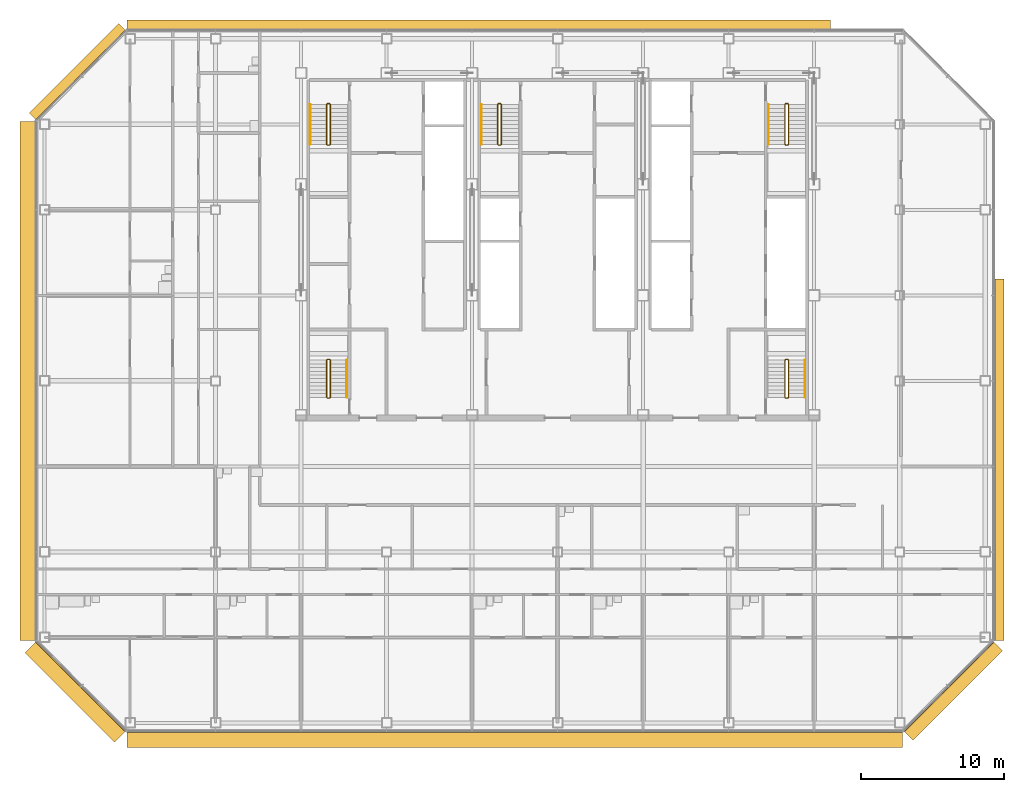
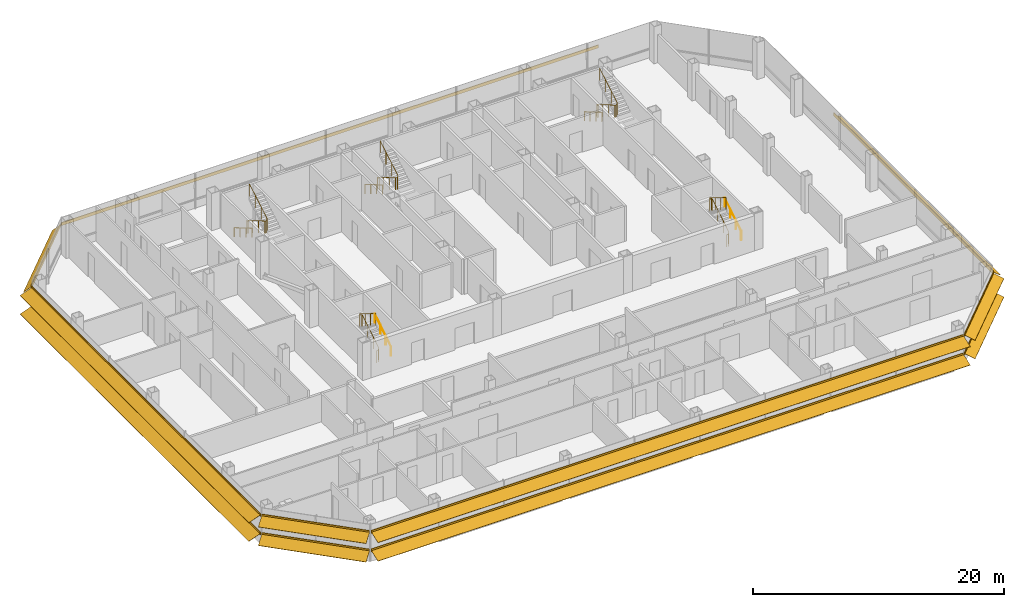
# One storey, part 26 of 27: 10 railings, 7 shading devices.
"""IFC4 building model written with IfcOpenShell, lengths in metres."""

from ifc_helpers import new_model, si_unit, direction, frame, origin, origin_2d, place, context, subcontext, project, spatial, polyline, circle, outline, composite_profile, extrude, material, type_object, element, save


model = new_model("IFC4")

# Units and contexts
model_context = context("Model", 3, precision=1e-05, world=origin(), true_north=direction((0.0, 1.0)))
body_context = subcontext(model_context, "Body", "Model", "MODEL_VIEW")
ifc_project = project(units=[si_unit("LENGTHUNIT", "METRE"), si_unit("AREAUNIT", "SQUARE_METRE"), si_unit("VOLUMEUNIT", "CUBIC_METRE"), si_unit("PLANEANGLEUNIT", "RADIAN"), si_unit("MASSUNIT", "GRAM", prefix="KILO")], contexts=[model_context])

# Site, building, storey
site_placement = place(None, origin())
site = spatial("IfcSite", under=ifc_project, at=site_placement, CompositionType="ELEMENT")
building_placement = place(site_placement, origin())
building = spatial("IfcBuilding", under=site, at=building_placement, Name="Sorahane Residences", CompositionType="ELEMENT")
storey_placement = place(building_placement, frame((0.0, 0.0, 195.60009765625)))
storey = spatial("IfcBuildingStorey", under=building, at=storey_placement, Name="L45", CompositionType="ELEMENT", Elevation=195.60009765625)

# Shading devices
ifc_material_1 = material(Name="Terracotta anodised aluminium", Category="masonry")
shading_device_type_1 = type_object("IfcShadingDeviceType", Name="Louvre sunshade blade E terracotta aluminium 700", PredefinedType="JALOUSIE", material=ifc_material_1)
shading_device_1_placement = place(storey_placement, frame((54.60009765625, 5.801513671875, 2.699951171875), z_axis=(0.0, 1.0, 0.0), x_axis=(-1.0, 0.0, 0.0)))
element("IfcShadingDevice", 1, at=shading_device_1_placement, inside=storey, type_object=shading_device_type_1, Name="Louvre sunshade blade bank E L45 E1", PredefinedType="JALOUSIE", context=body_context, shape_type="SweptSolid", body=[
    extrude(outline(polyline([(-0.719970703125, -0.49365234375), (-0.719970703125, -0.523681640625), (-0.080078125, -0.05859375), (-0.080078125, -0.14990234375), (-0.02001953125, -0.14990234375), (-0.02001953125, -0.014892578125), (-0.02001953125, 0.014892578125), (-0.02001953125, 0.14990234375), (-0.080078125, 0.14990234375), (-0.080078125, -0.028564453125), (-0.719970703125, -0.49365234375)])), origin(), (0.0, 0.0, 1.0), 25.3291015625),
])
ifc_material_2 = material(Name="Terracotta anodised aluminium", Category="masonry")
shading_device_type_2 = type_object("IfcShadingDeviceType", Name="Louvre sunshade blade N terracotta aluminium 700", PredefinedType="JALOUSIE", material=ifc_material_2)
shading_device_2_placement = place(storey_placement, frame((43.130615234375, 48.60009765625, 2.699951171875), z_axis=(-1.0, 0.0, 0.0), x_axis=(0.0, -1.0, 0.0)))
element("IfcShadingDevice", 2, at=shading_device_2_placement, inside=storey, type_object=shading_device_type_2, Name="Louvre sunshade blade bank N L45 N1", PredefinedType="JALOUSIE", context=body_context, shape_type="SweptSolid", body=[
    extrude(outline(polyline([(-0.719970703125, -0.660888671875), (-0.719970703125, -0.69091796875), (-0.080078125, -0.072998046875), (-0.080078125, -0.14990234375), (-0.02001953125, -0.14990234375), (-0.02001953125, -0.014892578125), (-0.02001953125, 0.014892578125), (-0.02001953125, 0.14990234375), (-0.080078125, 0.14990234375), (-0.080078125, -0.04296875), (-0.719970703125, -0.660888671875)])), origin(), (0.0, 0.0, 1.0), 49.3291015625),
])
ifc_material_3 = material(Name="Terracotta anodised aluminium", Category="masonry")
shading_device_type_3 = type_object("IfcShadingDeviceType", Name="Louvre sunshade blade NW terracotta aluminium 700", PredefinedType="JALOUSIE", material=ifc_material_3)
shading_device_3_placement = place(storey_placement, frame((-6.283935546875, 48.564697265625, 2.699951171875), z_axis=(-0.707106781187, -0.707106781187, 0.0), x_axis=(0.707106781187, -0.707106781187, 0.0)))
element("IfcShadingDevice", 3, at=shading_device_3_placement, inside=storey, type_object=shading_device_type_3, Name="Louvre sunshade blade bank NW L45 NW1", PredefinedType="JALOUSIE", context=body_context, shape_type="SweptSolid", body=[
    extrude(outline(polyline([(-0.719970703125, -0.660888671875), (-0.719970703125, -0.69091796875), (-0.080078125, -0.072998046875), (-0.080078125, -0.14990234375), (-0.02001953125, -0.14990234375), (-0.02001953125, -0.014892578125), (-0.02001953125, 0.014892578125), (-0.02001953125, 0.14990234375), (-0.080078125, 0.14990234375), (-0.080078125, -0.04296875), (-0.719970703125, -0.660888671875)])), origin(), (0.0, 0.0, 1.0), 8.88232421875),
])
ifc_material_4 = material(Name="Terracotta anodised aluminium", Category="masonry")
shading_device_type_4 = type_object("IfcShadingDeviceType", Name="Louvre sunshade blade S terracotta aluminium 1100", PredefinedType="JALOUSIE", material=ifc_material_4)
shading_device_4_placement = place(storey_placement, frame((-6.198486328125, -0.60009765625, 0.89990234375), z_axis=(1.0, 0.0, 0.0), x_axis=(0.0, 1.0, 0.0)))
element("IfcShadingDevice", 4, at=shading_device_4_placement, inside=storey, type_object=shading_device_type_4, Name="Louvre sunshade blade bank S L45 S1", PredefinedType="JALOUSIE", context=body_context, shape_type="SweptSolid", body=[
    extrude(composite_profile([outline(polyline([(-1.1201171875, -0.385498046875), (-1.1201171875, -0.415283203125), (-0.080078125, -0.036865234375), (-0.080078125, -0.14990234375), (-0.02001953125, -0.14990234375), (-0.02001953125, -0.014892578125), (-0.02001953125, 0.014892578125), (-0.02001953125, 0.14990234375), (-0.080078125, 0.14990234375), (-0.080078125, -0.0068359375), (-1.1201171875, -0.385498046875)])), outline(polyline([(-1.1201171875, 1.41455078125), (-1.1201171875, 1.384521484375), (-0.080078125, 1.76318359375), (-0.080078125, 1.64990234375), (-0.02001953125, 1.64990234375), (-0.02001953125, 1.784912109375), (-0.02001953125, 1.81494140625), (-0.02001953125, 1.949951171875), (-0.080078125, 1.949951171875), (-0.080078125, 1.793212890625), (-1.1201171875, 1.41455078125)]))]), origin(), (0.0, 0.0, 1.0), 54.39697265625),
])
ifc_material_5 = material(Name="Terracotta anodised aluminium", Category="masonry")
shading_device_type_5 = type_object("IfcShadingDeviceType", Name="Louvre sunshade blade SE terracotta aluminium 900", PredefinedType="JALOUSIE", material=ifc_material_5)
shading_device_5_placement = place(storey_placement, frame((48.283935546875, -0.564697265625, 0.89990234375), z_axis=(0.707106781187, 0.707106781187, 0.0), x_axis=(-0.707106781187, 0.707106781187, 0.0)))
element("IfcShadingDevice", 5, at=shading_device_5_placement, inside=storey, type_object=shading_device_type_5, Name="Louvre sunshade blade bank SE L45 SE1", PredefinedType="JALOUSIE", context=body_context, shape_type="SweptSolid", body=[
    extrude(composite_profile([outline(polyline([(-0.919921875, -0.3486328125), (-0.919921875, -0.378662109375), (-0.080078125, -0.039306640625), (-0.080078125, -0.14990234375), (-0.02001953125, -0.14990234375), (-0.02001953125, -0.014892578125), (-0.02001953125, 0.014892578125), (-0.02001953125, 0.14990234375), (-0.080078125, 0.14990234375), (-0.080078125, -0.00927734375), (-0.919921875, -0.3486328125)])), outline(polyline([(-0.919921875, 1.451416015625), (-0.919921875, 1.42138671875), (-0.080078125, 1.7607421875), (-0.080078125, 1.64990234375), (-0.02001953125, 1.64990234375), (-0.02001953125, 1.784912109375), (-0.02001953125, 1.81494140625), (-0.02001953125, 1.949951171875), (-0.080078125, 1.949951171875), (-0.080078125, 1.790771484375), (-0.919921875, 1.451416015625)]))]), origin(), (0.0, 0.0, 1.0), 8.88232421875),
])
ifc_material_6 = material(Name="Terracotta anodised aluminium", Category="masonry")
shading_device_type_6 = type_object("IfcShadingDeviceType", Name="Louvre sunshade blade SW terracotta aluminium 1100", PredefinedType="JALOUSIE", material=ifc_material_6)
shading_device_6_placement = place(storey_placement, frame((-12.564697265625, 5.716064453125, 0.89990234375), z_axis=(0.707106781187, -0.707106781187, 0.0), x_axis=(0.707106781187, 0.707106781187, 0.0)))
element("IfcShadingDevice", 6, at=shading_device_6_placement, inside=storey, type_object=shading_device_type_6, Name="Louvre sunshade blade bank SW L45 SW1", PredefinedType="JALOUSIE", context=body_context, shape_type="SweptSolid", body=[
    extrude(composite_profile([outline(polyline([(-1.1201171875, -0.385498046875), (-1.1201171875, -0.415283203125), (-0.080078125, -0.036865234375), (-0.080078125, -0.14990234375), (-0.02001953125, -0.14990234375), (-0.02001953125, -0.014892578125), (-0.02001953125, 0.014892578125), (-0.02001953125, 0.14990234375), (-0.080078125, 0.14990234375), (-0.080078125, -0.0068359375), (-1.1201171875, -0.385498046875)])), outline(polyline([(-1.1201171875, 1.41455078125), (-1.1201171875, 1.384521484375), (-0.080078125, 1.76318359375), (-0.080078125, 1.64990234375), (-0.02001953125, 1.64990234375), (-0.02001953125, 1.784912109375), (-0.02001953125, 1.81494140625), (-0.02001953125, 1.949951171875), (-0.080078125, 1.949951171875), (-0.080078125, 1.793212890625), (-1.1201171875, 1.41455078125)]))]), origin(), (0.0, 0.0, 1.0), 8.88232421875),
])
ifc_material_7 = material(Name="Terracotta anodised aluminium", Category="masonry")
shading_device_type_7 = type_object("IfcShadingDeviceType", Name="Louvre sunshade blade W terracotta aluminium 1100", PredefinedType="JALOUSIE", material=ifc_material_7)
shading_device_7_placement = place(storey_placement, frame((-12.60009765625, 42.198486328125, 0.89990234375), z_axis=(0.0, -1.0, 0.0), x_axis=(1.0, 0.0, 0.0)))
element("IfcShadingDevice", 7, at=shading_device_7_placement, inside=storey, type_object=shading_device_type_7, Name="Louvre sunshade blade bank W L45 W1", PredefinedType="JALOUSIE", context=body_context, shape_type="SweptSolid", body=[
    extrude(composite_profile([outline(polyline([(-1.1201171875, -0.385498046875), (-1.1201171875, -0.415283203125), (-0.080078125, -0.036865234375), (-0.080078125, -0.14990234375), (-0.02001953125, -0.14990234375), (-0.02001953125, -0.014892578125), (-0.02001953125, 0.014892578125), (-0.02001953125, 0.14990234375), (-0.080078125, 0.14990234375), (-0.080078125, -0.0068359375), (-1.1201171875, -0.385498046875)])), outline(polyline([(-1.1201171875, 1.41455078125), (-1.1201171875, 1.384521484375), (-0.080078125, 1.76318359375), (-0.080078125, 1.64990234375), (-0.02001953125, 1.64990234375), (-0.02001953125, 1.784912109375), (-0.02001953125, 1.81494140625), (-0.02001953125, 1.949951171875), (-0.080078125, 1.949951171875), (-0.080078125, 1.793212890625), (-1.1201171875, 1.41455078125)]))]), origin(), (0.0, 0.0, 1.0), 36.39697265625),
])

# Railings
ifc_material_8 = material(Name="Steel Q355B", Category="steel")
railing_type_1 = type_object("IfcRailingType", Name="Stair guard 1200 Steel Q355B", PredefinedType="GUARDRAIL", material=ifc_material_8)
railing_1_placement = place(storey_placement, frame((8.0, 43.449951171875, 0.0)))
element("IfcRailing", 8, at=railing_1_placement, inside=storey, type_object=railing_type_1, Name="L45 S1 stair guard 1", PredefinedType="GUARDRAIL", context=body_context, shape_type="SweptSolid", body=[
    extrude(circle(Radius=0.02392578125, at=origin_2d()), frame((0.0, 0.0, 1.17578125), z_axis=(-1.0, 0.0, 0.0), x_axis=(0.0, -1.0, 0.0)), (0.0, 0.0, 1.0), 0.14990234375),
    extrude(circle(Radius=0.02392578125, at=origin_2d()), frame((-0.14990234375, 0.0, 1.17578125), z_axis=(-0.280808744504, -0.280808744504, 0.917765164963), x_axis=(0.707106781187, -0.707106781187, 0.0)), (0.0, 0.0, 1.0), 0.17822265625),
    extrude(circle(Radius=0.02392578125, at=origin_2d()), frame((-0.199951171875, -0.050048828125, 1.33935546875), z_axis=(0.0, -0.863374499697, 0.504563646405), x_axis=(1.0, 0.0, 0.0)), (0.0, 0.0, 1.0), 3.242919921875),
    extrude(circle(Radius=0.02392578125, at=origin_2d()), frame((-0.199951171875, -2.849853515625, 2.9755859375), z_axis=(0.707106781187, -0.707106781187, 0.0), x_axis=(0.707106781187, 0.707106781187, 0.0)), (0.0, 0.0, 1.0), 0.07080078125),
    extrude(circle(Radius=0.02392578125, at=origin_2d()), frame((-0.14990234375, -2.89990234375, 2.9755859375), z_axis=(1.0, 0.0, 0.0), x_axis=(0.0, 1.0, 0.0)), (0.0, 0.0, 1.0), 0.14990234375),
    extrude(circle(Radius=0.02392578125, at=origin_2d()), frame((0.0, -2.89990234375, 2.9755859375), z_axis=(0.280456126637, 0.280456126637, 0.917980785237), x_axis=(-0.707106781187, 0.707106781187, 0.0)), (0.0, 0.0, 1.0), 0.178466796875),
    extrude(circle(Radius=0.02392578125, at=origin_2d()), frame((0.050048828125, -2.849853515625, 3.1396484375), z_axis=(0.0, 0.863374499697, 0.504563646405), x_axis=(-1.0, 0.0, 0.0)), (0.0, 0.0, 1.0), 3.242919921875),
    extrude(circle(Radius=0.02099609375, at=origin_2d()), origin(), (0.0, 0.0, 1.0), 1.15185546875),
    extrude(circle(Radius=0.02099609375, at=origin_2d()), frame((-0.14990234375, 0.0, 0.0)), (0.0, 0.0, 1.0), 1.15185546875),
    extrude(circle(Radius=0.02099609375, at=origin_2d()), frame((-0.199951171875, -0.050048828125, 0.16357421875)), (0.0, 0.0, 1.0), 1.15185546875),
    extrude(circle(Radius=0.02099609375, at=origin_2d()), frame((-0.199951171875, -0.9833984375, 0.708984375)), (0.0, 0.0, 1.0), 1.15185546875),
    extrude(circle(Radius=0.02099609375, at=origin_2d()), frame((-0.199951171875, -1.91650390625, 1.25439453125)), (0.0, 0.0, 1.0), 1.15185546875),
    extrude(circle(Radius=0.02099609375, at=origin_2d()), frame((-0.199951171875, -2.849853515625, 1.7998046875)), (0.0, 0.0, 1.0), 1.15185546875),
    extrude(circle(Radius=0.02099609375, at=origin_2d()), frame((-0.14990234375, -2.89990234375, 1.7998046875)), (0.0, 0.0, 1.0), 1.15185546875),
    extrude(circle(Radius=0.02099609375, at=origin_2d()), frame((0.0, -2.89990234375, 1.7998046875)), (0.0, 0.0, 1.0), 1.15185546875),
    extrude(circle(Radius=0.02099609375, at=origin_2d()), frame((0.050048828125, -2.849853515625, 1.963623046875)), (0.0, 0.0, 1.0), 1.15185546875),
    extrude(circle(Radius=0.02099609375, at=origin_2d()), frame((0.050048828125, -1.91650390625, 2.509033203125)), (0.0, 0.0, 1.0), 1.15185546875),
    extrude(circle(Radius=0.02099609375, at=origin_2d()), frame((0.050048828125, -0.9833984375, 3.054443359375)), (0.0, 0.0, 1.0), 1.15185546875),
    extrude(circle(Radius=0.02099609375, at=origin_2d()), frame((0.050048828125, -0.050048828125, 3.599853515625)), (0.0, 0.0, 1.0), 1.15185546875),
])
railing_2_placement = place(storey_placement, frame((40.14990234375, 43.449951171875, 0.0)))
element("IfcRailing", 9, at=railing_2_placement, inside=storey, type_object=railing_type_1, Name="L45 S2 stair guard 1", PredefinedType="GUARDRAIL", context=body_context, shape_type="SweptSolid", body=[
    extrude(circle(Radius=0.02392578125, at=origin_2d()), frame((0.0, 0.0, 1.17578125), z_axis=(-1.0, 0.0, 0.0), x_axis=(0.0, -1.0, 0.0)), (0.0, 0.0, 1.0), 0.14990234375),
    extrude(circle(Radius=0.02392578125, at=origin_2d()), frame((-0.14990234375, 0.0, 1.17578125), z_axis=(-0.280808744504, -0.280808744504, 0.917765164963), x_axis=(0.707106781187, -0.707106781187, 0.0)), (0.0, 0.0, 1.0), 0.17822265625),
    extrude(circle(Radius=0.02392578125, at=origin_2d()), frame((-0.199951171875, -0.050048828125, 1.33935546875), z_axis=(0.0, -0.863374499697, 0.504563646405), x_axis=(1.0, 0.0, 0.0)), (0.0, 0.0, 1.0), 3.242919921875),
    extrude(circle(Radius=0.02392578125, at=origin_2d()), frame((-0.199951171875, -2.849853515625, 2.9755859375), z_axis=(0.707106781187, -0.707106781187, 0.0), x_axis=(0.707106781187, 0.707106781187, 0.0)), (0.0, 0.0, 1.0), 0.07080078125),
    extrude(circle(Radius=0.02392578125, at=origin_2d()), frame((-0.14990234375, -2.89990234375, 2.9755859375), z_axis=(1.0, 0.0, 0.0), x_axis=(0.0, 1.0, 0.0)), (0.0, 0.0, 1.0), 0.14990234375),
    extrude(circle(Radius=0.02392578125, at=origin_2d()), frame((0.0, -2.89990234375, 2.9755859375), z_axis=(0.280456126637, 0.280456126637, 0.917980785237), x_axis=(-0.707106781187, 0.707106781187, 0.0)), (0.0, 0.0, 1.0), 0.178466796875),
    extrude(circle(Radius=0.02392578125, at=origin_2d()), frame((0.050048828125, -2.849853515625, 3.1396484375), z_axis=(0.0, 0.863374499697, 0.504563646405), x_axis=(-1.0, 0.0, 0.0)), (0.0, 0.0, 1.0), 3.242919921875),
    extrude(circle(Radius=0.02099609375, at=origin_2d()), origin(), (0.0, 0.0, 1.0), 1.15185546875),
    extrude(circle(Radius=0.02099609375, at=origin_2d()), frame((-0.14990234375, 0.0, 0.0)), (0.0, 0.0, 1.0), 1.15185546875),
    extrude(circle(Radius=0.02099609375, at=origin_2d()), frame((-0.199951171875, -0.050048828125, 0.16357421875)), (0.0, 0.0, 1.0), 1.15185546875),
    extrude(circle(Radius=0.02099609375, at=origin_2d()), frame((-0.199951171875, -0.9833984375, 0.708984375)), (0.0, 0.0, 1.0), 1.15185546875),
    extrude(circle(Radius=0.02099609375, at=origin_2d()), frame((-0.199951171875, -1.91650390625, 1.25439453125)), (0.0, 0.0, 1.0), 1.15185546875),
    extrude(circle(Radius=0.02099609375, at=origin_2d()), frame((-0.199951171875, -2.849853515625, 1.7998046875)), (0.0, 0.0, 1.0), 1.15185546875),
    extrude(circle(Radius=0.02099609375, at=origin_2d()), frame((-0.14990234375, -2.89990234375, 1.7998046875)), (0.0, 0.0, 1.0), 1.15185546875),
    extrude(circle(Radius=0.02099609375, at=origin_2d()), frame((0.0, -2.89990234375, 1.7998046875)), (0.0, 0.0, 1.0), 1.15185546875),
    extrude(circle(Radius=0.02099609375, at=origin_2d()), frame((0.050048828125, -2.849853515625, 1.963623046875)), (0.0, 0.0, 1.0), 1.15185546875),
    extrude(circle(Radius=0.02099609375, at=origin_2d()), frame((0.050048828125, -1.91650390625, 2.509033203125)), (0.0, 0.0, 1.0), 1.15185546875),
    extrude(circle(Radius=0.02099609375, at=origin_2d()), frame((0.050048828125, -0.9833984375, 3.054443359375)), (0.0, 0.0, 1.0), 1.15185546875),
    extrude(circle(Radius=0.02099609375, at=origin_2d()), frame((0.050048828125, -0.050048828125, 3.599853515625)), (0.0, 0.0, 1.0), 1.15185546875),
])
railing_3_placement = place(storey_placement, frame((20.0, 43.449951171875, 0.0)))
element("IfcRailing", 10, at=railing_3_placement, inside=storey, type_object=railing_type_1, Name="L45 S3 stair guard 1", PredefinedType="GUARDRAIL", context=body_context, shape_type="SweptSolid", body=[
    extrude(circle(Radius=0.02392578125, at=origin_2d()), frame((0.0, 0.0, 1.17578125), z_axis=(-1.0, 0.0, 0.0), x_axis=(0.0, -1.0, 0.0)), (0.0, 0.0, 1.0), 0.14990234375),
    extrude(circle(Radius=0.02392578125, at=origin_2d()), frame((-0.14990234375, 0.0, 1.17578125), z_axis=(-0.280808744504, -0.280808744504, 0.917765164963), x_axis=(0.707106781187, -0.707106781187, 0.0)), (0.0, 0.0, 1.0), 0.17822265625),
    extrude(circle(Radius=0.02392578125, at=origin_2d()), frame((-0.199951171875, -0.050048828125, 1.33935546875), z_axis=(0.0, -0.863374499697, 0.504563646405), x_axis=(1.0, 0.0, 0.0)), (0.0, 0.0, 1.0), 3.242919921875),
    extrude(circle(Radius=0.02392578125, at=origin_2d()), frame((-0.199951171875, -2.849853515625, 2.9755859375), z_axis=(0.707106781187, -0.707106781187, 0.0), x_axis=(0.707106781187, 0.707106781187, 0.0)), (0.0, 0.0, 1.0), 0.07080078125),
    extrude(circle(Radius=0.02392578125, at=origin_2d()), frame((-0.14990234375, -2.89990234375, 2.9755859375), z_axis=(1.0, 0.0, 0.0), x_axis=(0.0, 1.0, 0.0)), (0.0, 0.0, 1.0), 0.14990234375),
    extrude(circle(Radius=0.02392578125, at=origin_2d()), frame((0.0, -2.89990234375, 2.9755859375), z_axis=(0.280456126637, 0.280456126637, 0.917980785237), x_axis=(-0.707106781187, 0.707106781187, 0.0)), (0.0, 0.0, 1.0), 0.178466796875),
    extrude(circle(Radius=0.02392578125, at=origin_2d()), frame((0.050048828125, -2.849853515625, 3.1396484375), z_axis=(0.0, 0.863374499697, 0.504563646405), x_axis=(-1.0, 0.0, 0.0)), (0.0, 0.0, 1.0), 3.242919921875),
    extrude(circle(Radius=0.02099609375, at=origin_2d()), origin(), (0.0, 0.0, 1.0), 1.15185546875),
    extrude(circle(Radius=0.02099609375, at=origin_2d()), frame((-0.14990234375, 0.0, 0.0)), (0.0, 0.0, 1.0), 1.15185546875),
    extrude(circle(Radius=0.02099609375, at=origin_2d()), frame((-0.199951171875, -0.050048828125, 0.16357421875)), (0.0, 0.0, 1.0), 1.15185546875),
    extrude(circle(Radius=0.02099609375, at=origin_2d()), frame((-0.199951171875, -0.9833984375, 0.708984375)), (0.0, 0.0, 1.0), 1.15185546875),
    extrude(circle(Radius=0.02099609375, at=origin_2d()), frame((-0.199951171875, -1.91650390625, 1.25439453125)), (0.0, 0.0, 1.0), 1.15185546875),
    extrude(circle(Radius=0.02099609375, at=origin_2d()), frame((-0.199951171875, -2.849853515625, 1.7998046875)), (0.0, 0.0, 1.0), 1.15185546875),
    extrude(circle(Radius=0.02099609375, at=origin_2d()), frame((-0.14990234375, -2.89990234375, 1.7998046875)), (0.0, 0.0, 1.0), 1.15185546875),
    extrude(circle(Radius=0.02099609375, at=origin_2d()), frame((0.0, -2.89990234375, 1.7998046875)), (0.0, 0.0, 1.0), 1.15185546875),
    extrude(circle(Radius=0.02099609375, at=origin_2d()), frame((0.050048828125, -2.849853515625, 1.963623046875)), (0.0, 0.0, 1.0), 1.15185546875),
    extrude(circle(Radius=0.02099609375, at=origin_2d()), frame((0.050048828125, -1.91650390625, 2.509033203125)), (0.0, 0.0, 1.0), 1.15185546875),
    extrude(circle(Radius=0.02099609375, at=origin_2d()), frame((0.050048828125, -0.9833984375, 3.054443359375)), (0.0, 0.0, 1.0), 1.15185546875),
    extrude(circle(Radius=0.02099609375, at=origin_2d()), frame((0.050048828125, -0.050048828125, 3.599853515625)), (0.0, 0.0, 1.0), 1.15185546875),
])
railing_4_placement = place(storey_placement, frame((7.85009765625, 22.800048828125, 0.0)))
element("IfcRailing", 11, at=railing_4_placement, inside=storey, type_object=railing_type_1, Name="L45 S4 stair guard 1", PredefinedType="GUARDRAIL", context=body_context, shape_type="SweptSolid", body=[
    extrude(circle(Radius=0.02392578125, at=origin_2d()), frame((0.0, 0.0, 1.17578125), z_axis=(1.0, 0.0, 0.0), x_axis=(0.0, 1.0, 0.0)), (0.0, 0.0, 1.0), 0.14990234375),
    extrude(circle(Radius=0.02392578125, at=origin_2d()), frame((0.14990234375, 0.0, 1.17578125), z_axis=(0.280808744504, 0.280808744504, 0.917765164963), x_axis=(-0.707106781187, 0.707106781187, 0.0)), (0.0, 0.0, 1.0), 0.17822265625),
    extrude(circle(Radius=0.02392578125, at=origin_2d()), frame((0.199951171875, 0.050048828125, 1.33935546875), z_axis=(0.0, 0.846337672412, 0.532646734952), x_axis=(-1.0, 0.0, 0.0)), (0.0, 0.0, 1.0), 3.07177734375),
    extrude(circle(Radius=0.02392578125, at=origin_2d()), frame((0.199951171875, 2.64990234375, 2.9755859375), z_axis=(-0.707106781187, 0.707106781187, 0.0), x_axis=(-0.707106781187, -0.707106781187, 0.0)), (0.0, 0.0, 1.0), 0.07080078125),
    extrude(circle(Radius=0.02392578125, at=origin_2d()), frame((0.14990234375, 2.699951171875, 2.9755859375), z_axis=(-1.0, 0.0, 0.0), x_axis=(0.0, -1.0, 0.0)), (0.0, 0.0, 1.0), 0.14990234375),
    extrude(circle(Radius=0.02392578125, at=origin_2d()), frame((0.0, 2.699951171875, 2.9755859375), z_axis=(-0.280456126637, -0.280456126637, 0.917980785237), x_axis=(0.707106781187, -0.707106781187, 0.0)), (0.0, 0.0, 1.0), 0.178466796875),
    extrude(circle(Radius=0.02392578125, at=origin_2d()), frame((-0.050048828125, 2.64990234375, 3.1396484375), z_axis=(0.0, -0.846337672412, 0.532646734952), x_axis=(1.0, 0.0, 0.0)), (0.0, 0.0, 1.0), 3.07177734375),
    extrude(circle(Radius=0.02099609375, at=origin_2d()), origin(), (0.0, 0.0, 1.0), 1.15185546875),
    extrude(circle(Radius=0.02099609375, at=origin_2d()), frame((0.14990234375, 0.0, 0.0)), (0.0, 0.0, 1.0), 1.15185546875),
    extrude(circle(Radius=0.02099609375, at=origin_2d()), frame((0.199951171875, 0.050048828125, 0.16357421875)), (0.0, 0.0, 1.0), 1.15185546875),
    extrude(circle(Radius=0.02099609375, at=origin_2d()), frame((0.199951171875, 0.916748046875, 0.708984375)), (0.0, 0.0, 1.0), 1.15185546875),
    extrude(circle(Radius=0.02099609375, at=origin_2d()), frame((0.199951171875, 1.783203125, 1.25439453125)), (0.0, 0.0, 1.0), 1.15185546875),
    extrude(circle(Radius=0.02099609375, at=origin_2d()), frame((0.199951171875, 2.64990234375, 1.7998046875)), (0.0, 0.0, 1.0), 1.15185546875),
    extrude(circle(Radius=0.02099609375, at=origin_2d()), frame((0.14990234375, 2.699951171875, 1.7998046875)), (0.0, 0.0, 1.0), 1.15185546875),
    extrude(circle(Radius=0.02099609375, at=origin_2d()), frame((0.0, 2.699951171875, 1.7998046875)), (0.0, 0.0, 1.0), 1.15185546875),
    extrude(circle(Radius=0.02099609375, at=origin_2d()), frame((-0.050048828125, 2.64990234375, 1.963623046875)), (0.0, 0.0, 1.0), 1.15185546875),
    extrude(circle(Radius=0.02099609375, at=origin_2d()), frame((-0.050048828125, 1.783203125, 2.509033203125)), (0.0, 0.0, 1.0), 1.15185546875),
    extrude(circle(Radius=0.02099609375, at=origin_2d()), frame((-0.050048828125, 0.916748046875, 3.054443359375)), (0.0, 0.0, 1.0), 1.15185546875),
    extrude(circle(Radius=0.02099609375, at=origin_2d()), frame((-0.050048828125, 0.050048828125, 3.599853515625)), (0.0, 0.0, 1.0), 1.15185546875),
])
railing_5_placement = place(storey_placement, frame((40.0, 22.800048828125, 0.0)))
element("IfcRailing", 12, at=railing_5_placement, inside=storey, type_object=railing_type_1, Name="L45 S5 stair guard 1", PredefinedType="GUARDRAIL", context=body_context, shape_type="SweptSolid", body=[
    extrude(circle(Radius=0.02392578125, at=origin_2d()), frame((0.0, 0.0, 1.17578125), z_axis=(1.0, 0.0, 0.0), x_axis=(0.0, 1.0, 0.0)), (0.0, 0.0, 1.0), 0.14990234375),
    extrude(circle(Radius=0.02392578125, at=origin_2d()), frame((0.14990234375, 0.0, 1.17578125), z_axis=(0.280808744504, 0.280808744504, 0.917765164963), x_axis=(-0.707106781187, 0.707106781187, 0.0)), (0.0, 0.0, 1.0), 0.17822265625),
    extrude(circle(Radius=0.02392578125, at=origin_2d()), frame((0.199951171875, 0.050048828125, 1.33935546875), z_axis=(0.0, 0.846337672412, 0.532646734952), x_axis=(-1.0, 0.0, 0.0)), (0.0, 0.0, 1.0), 3.07177734375),
    extrude(circle(Radius=0.02392578125, at=origin_2d()), frame((0.199951171875, 2.64990234375, 2.9755859375), z_axis=(-0.707106781187, 0.707106781187, 0.0), x_axis=(-0.707106781187, -0.707106781187, 0.0)), (0.0, 0.0, 1.0), 0.07080078125),
    extrude(circle(Radius=0.02392578125, at=origin_2d()), frame((0.14990234375, 2.699951171875, 2.9755859375), z_axis=(-1.0, 0.0, 0.0), x_axis=(0.0, -1.0, 0.0)), (0.0, 0.0, 1.0), 0.14990234375),
    extrude(circle(Radius=0.02392578125, at=origin_2d()), frame((0.0, 2.699951171875, 2.9755859375), z_axis=(-0.280456126637, -0.280456126637, 0.917980785237), x_axis=(0.707106781187, -0.707106781187, 0.0)), (0.0, 0.0, 1.0), 0.178466796875),
    extrude(circle(Radius=0.02392578125, at=origin_2d()), frame((-0.050048828125, 2.64990234375, 3.1396484375), z_axis=(0.0, -0.846337672412, 0.532646734952), x_axis=(1.0, 0.0, 0.0)), (0.0, 0.0, 1.0), 3.07177734375),
    extrude(circle(Radius=0.02099609375, at=origin_2d()), origin(), (0.0, 0.0, 1.0), 1.15185546875),
    extrude(circle(Radius=0.02099609375, at=origin_2d()), frame((0.14990234375, 0.0, 0.0)), (0.0, 0.0, 1.0), 1.15185546875),
    extrude(circle(Radius=0.02099609375, at=origin_2d()), frame((0.199951171875, 0.050048828125, 0.16357421875)), (0.0, 0.0, 1.0), 1.15185546875),
    extrude(circle(Radius=0.02099609375, at=origin_2d()), frame((0.199951171875, 0.916748046875, 0.708984375)), (0.0, 0.0, 1.0), 1.15185546875),
    extrude(circle(Radius=0.02099609375, at=origin_2d()), frame((0.199951171875, 1.783203125, 1.25439453125)), (0.0, 0.0, 1.0), 1.15185546875),
    extrude(circle(Radius=0.02099609375, at=origin_2d()), frame((0.199951171875, 2.64990234375, 1.7998046875)), (0.0, 0.0, 1.0), 1.15185546875),
    extrude(circle(Radius=0.02099609375, at=origin_2d()), frame((0.14990234375, 2.699951171875, 1.7998046875)), (0.0, 0.0, 1.0), 1.15185546875),
    extrude(circle(Radius=0.02099609375, at=origin_2d()), frame((0.0, 2.699951171875, 1.7998046875)), (0.0, 0.0, 1.0), 1.15185546875),
    extrude(circle(Radius=0.02099609375, at=origin_2d()), frame((-0.050048828125, 2.64990234375, 1.963623046875)), (0.0, 0.0, 1.0), 1.15185546875),
    extrude(circle(Radius=0.02099609375, at=origin_2d()), frame((-0.050048828125, 1.783203125, 2.509033203125)), (0.0, 0.0, 1.0), 1.15185546875),
    extrude(circle(Radius=0.02099609375, at=origin_2d()), frame((-0.050048828125, 0.916748046875, 3.054443359375)), (0.0, 0.0, 1.0), 1.15185546875),
    extrude(circle(Radius=0.02099609375, at=origin_2d()), frame((-0.050048828125, 0.050048828125, 3.599853515625)), (0.0, 0.0, 1.0), 1.15185546875),
])
ifc_material_9 = material(Name="Steel Q355B", Category="steel")
railing_type_2 = type_object("IfcRailingType", Name="Stair handrail 900 Steel Q355B", PredefinedType="HANDRAIL", material=ifc_material_9)
for number, where, name in (
    (13, (6.64990234375, 43.39990234375, 0.16357421875), "L45 S1 stair handrail 1"),
    (14, (38.800048828125, 43.39990234375, 0.16357421875), "L45 S2 stair handrail 1"),
    (15, (18.64990234375, 43.39990234375, 0.16357421875), "L45 S3 stair handrail 1"),
):
    element("IfcRailing", number, at=place(storey_placement, frame(where)), inside=storey, type_object=railing_type_2, Name=name, PredefinedType="HANDRAIL", context=body_context, shape_type="SweptSolid", body=[
        extrude(circle(Radius=0.02392578125, at=origin_2d()), frame((0.0, 0.0, 0.8759765625), z_axis=(0.0, -0.863374499697, 0.504563646405), x_axis=(1.0, 0.0, 0.0)), (0.0, 0.0, 1.0), 3.242919921875),
        extrude(circle(Radius=0.02099609375, at=origin_2d()), origin(), (0.0, 0.0, 1.0), 0.851806640625),
        extrude(circle(Radius=0.02099609375, at=origin_2d()), frame((0.0, -0.933349609375, 0.54541015625)), (0.0, 0.0, 1.0), 0.851806640625),
        extrude(circle(Radius=0.02099609375, at=origin_2d()), frame((0.0, -1.866455078125, 1.0908203125)), (0.0, 0.0, 1.0), 0.851806640625),
        extrude(circle(Radius=0.02099609375, at=origin_2d()), frame((0.0, -2.7998046875, 1.63623046875)), (0.0, 0.0, 1.0), 0.851806640625),
    ])
for number, where, name in (
    (16, (9.199951171875, 22.85009765625, 0.16357421875), "L45 S4 stair handrail 1"),
    (17, (41.35009765625, 22.85009765625, 0.16357421875), "L45 S5 stair handrail 1"),
):
    element("IfcRailing", number, at=place(storey_placement, frame(where)), inside=storey, type_object=railing_type_2, Name=name, PredefinedType="HANDRAIL", context=body_context, shape_type="SweptSolid", body=[
        extrude(circle(Radius=0.02392578125, at=origin_2d()), frame((0.0, 0.0, 0.8759765625), z_axis=(0.0, 0.846337672412, 0.532646734952), x_axis=(-1.0, 0.0, 0.0)), (0.0, 0.0, 1.0), 3.07177734375),
        extrude(circle(Radius=0.02099609375, at=origin_2d()), origin(), (0.0, 0.0, 1.0), 0.851806640625),
        extrude(circle(Radius=0.02099609375, at=origin_2d()), frame((0.0, 0.86669921875, 0.54541015625)), (0.0, 0.0, 1.0), 0.851806640625),
        extrude(circle(Radius=0.02099609375, at=origin_2d()), frame((0.0, 1.733154296875, 1.0908203125)), (0.0, 0.0, 1.0), 0.851806640625),
        extrude(circle(Radius=0.02099609375, at=origin_2d()), frame((0.0, 2.599853515625, 1.63623046875)), (0.0, 0.0, 1.0), 0.851806640625),
    ])

save(model, "model.ifc")
